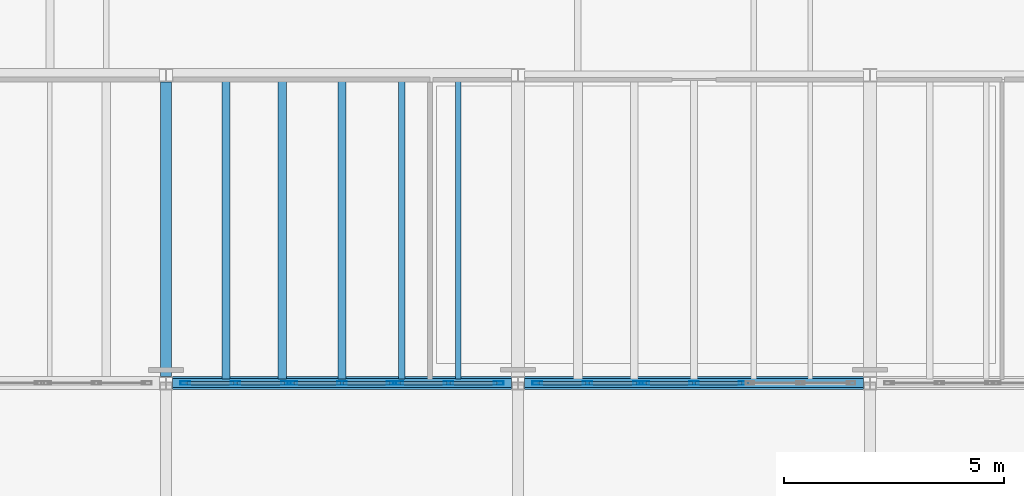
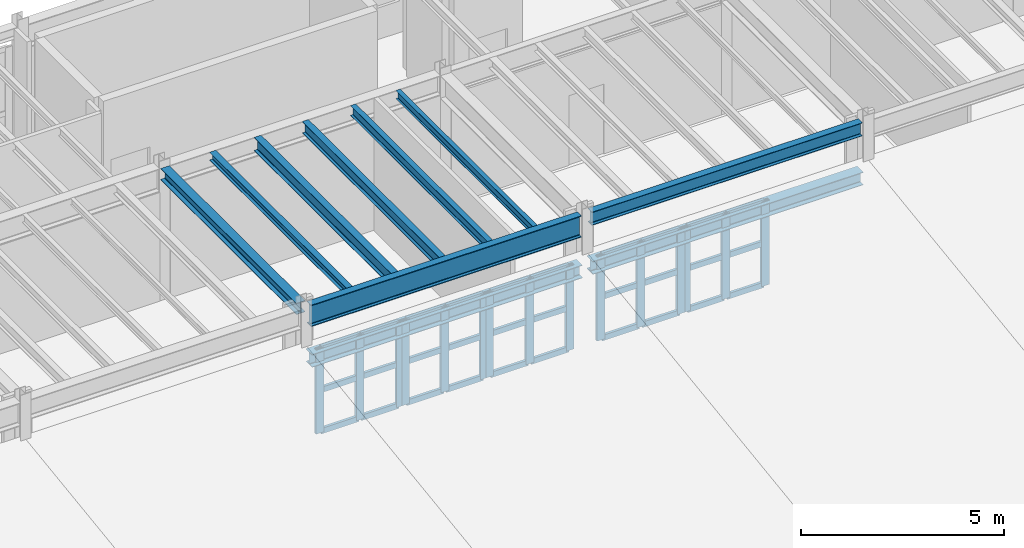
# One storey, part 11 of 77: 45 members, 10 beams, 5 elements without a shape of their own.
"""IFC4 building model written with IfcOpenShell, lengths in metres."""

from ifc_helpers import new_model, si_unit, direction, frame, origin, origin_2d, place, context, subcontext, project, spatial, hollow_rectangle, i_section, extrude, material, material_profile, profile_set, type_object, element, aggregate, save


model = new_model("IFC4")

# Units and contexts
model_context = context("Model", 3, precision=1e-05, world=origin(), true_north=direction((0.0, 1.0)))
body_context = subcontext(model_context, "Body", "Model", "MODEL_VIEW")
ifc_project = project(units=[si_unit("LENGTHUNIT", "METRE"), si_unit("AREAUNIT", "SQUARE_METRE"), si_unit("VOLUMEUNIT", "CUBIC_METRE"), si_unit("PLANEANGLEUNIT", "RADIAN"), si_unit("MASSUNIT", "GRAM", prefix="KILO"), si_unit("THERMODYNAMICTEMPERATUREUNIT", "KELVIN"), si_unit("POWERUNIT", "WATT")], contexts=[model_context])

# Site, building, storey
site_placement = place(None, origin())
site = spatial("IfcSite", under=ifc_project, at=site_placement, CompositionType="ELEMENT")
building_placement = place(site_placement, origin())
building = spatial("IfcBuilding", under=site, at=building_placement, Name="Zhenchuan Central Fire Station", CompositionType="ELEMENT")
storey_placement = place(building_placement, frame((0.0, 0.0, 10.050048828125)))
storey = spatial("IfcBuildingStorey", under=building, at=storey_placement, Name="L03", CompositionType="ELEMENT", Elevation=10.050048828125)

# Beams
ifc_material_1 = material(Name="Steel Q355B", Category="steel")
ifc_material_profile_1 = material_profile(ifc_material_1, i_section(OverallWidth=0.25, OverallDepth=0.340087890625, WebThickness=0.009033203125, FlangeThickness=0.013916015625, FilletRadius=0.01806640625, at=origin_2d()), Name="HM 340x250")
ifc_profile_set_1 = profile_set([ifc_material_profile_1], Name="Steel Q355B")
beam_type_1 = type_object("IfcBeamType", Name="BM-HM340", PredefinedType="BEAM", material=ifc_profile_set_1)
beam_1_placement = place(storey_placement, frame((16.0, 42.64990234375, 3.81005859375), z_axis=(0.0, 1.0, 0.0), x_axis=(-1.0, 0.0, 0.0)))
element("IfcBeam", 1, at=beam_1_placement, inside=storey, type_object=beam_type_1, Name="L04 Girder NS 0394", PredefinedType="BEAM", context=body_context, shape_type="SweptSolid", body=[
    extrude(i_section(OverallWidth=0.25, OverallDepth=0.340087890625, WebThickness=0.009033203125, FlangeThickness=0.013916015625, FilletRadius=0.01806640625, at=origin_2d()), origin(), (0.0, 0.0, 1.0), 6.7001953125),
])
ifc_material_profile_2 = material_profile(ifc_material_1, i_section(OverallWidth=0.300048828125, OverallDepth=0.389892578125, WebThickness=0.010009765625, FlangeThickness=0.01611328125, FilletRadius=0.02001953125, at=origin_2d()), Name="HM 390x300")
ifc_profile_set_2 = profile_set([ifc_material_profile_2], Name="Steel Q355B")
beam_type_2 = type_object("IfcBeamType", Name="BM-HM390-INT", PredefinedType="BEAM", material=ifc_profile_set_2)
for number, where, z_axis, x_axis, name in (
    (2, (16.14990234375, 42.5, 2.329833984375), (1.0, 0.0, 0.0), (0.0, 1.0, 0.0), "Workshop Sawtooth Ridge Girder 3"),
    (3, (24.14990234375, 42.5, 2.329833984375), (1.0, 0.0, 0.0), (0.0, 1.0, 0.0), "Workshop Sawtooth Ridge Girder 4"),
):
    element("IfcBeam", number, at=place(storey_placement, frame(where, z_axis=z_axis, x_axis=x_axis)), inside=storey, type_object=beam_type_2, Name=name, PredefinedType="BEAM", context=body_context, shape_type="SweptSolid", body=[
        extrude(i_section(OverallWidth=0.300048828125, OverallDepth=0.389892578125, WebThickness=0.010009765625, FlangeThickness=0.01611328125, FilletRadius=0.02001953125, at=origin_2d()), origin(), (0.0, 0.0, 1.0), 7.7001953125),
    ])
ifc_material_profile_3 = material_profile(ifc_material_1, i_section(OverallWidth=0.199951171875, OverallDepth=0.64990234375, WebThickness=0.011962890625, FlangeThickness=0.02001953125, FilletRadius=0.02197265625, at=origin_2d()), Name="HN 650x200")
ifc_profile_set_3 = profile_set([ifc_material_profile_3], Name="Steel Q355B")
beam_type_3 = type_object("IfcBeamType", Name="BM-HN650", PredefinedType="BEAM", material=ifc_profile_set_3)
beam_2_placement = place(storey_placement, frame((16.14990234375, 42.5, 3.655029296875), z_axis=(1.0, 0.0, 0.0), x_axis=(0.0, 1.0, 0.0)))
element("IfcBeam", 4, at=beam_2_placement, inside=storey, type_object=beam_type_3, Name="L04 Girder EW 0364", PredefinedType="BEAM", context=body_context, shape_type="SweptSolid", body=[
    extrude(i_section(OverallWidth=0.199951171875, OverallDepth=0.64990234375, WebThickness=0.011962890625, FlangeThickness=0.02001953125, FilletRadius=0.02197265625, at=origin_2d()), origin(), (0.0, 0.0, 1.0), 7.7001953125),
])

# Curtain wall, members
ifc_material_2 = material(Name="Anodised aluminium and low-E glazing", Category="aluminium")
curtain_wall_type_1 = type_object("IfcCurtainWallType", Name="CW-MOD-20", PredefinedType="USERDEFINED", material=ifc_material_2)
curtain_wall_1_placement = place(storey_placement, origin())
curtain_wall_1 = element("IfcCurtainWall", 5, at=curtain_wall_1_placement, inside=storey, type_object=curtain_wall_type_1, Name="L03 Unitised Curtain Wall 043", ObjectType="UNITISED GLAZING", PredefinedType="USERDEFINED")
ifc_material_3 = material(Name="Anodised aluminium EN AW-6063", Category="aluminium")
ifc_material_profile_4 = material_profile(ifc_material_3, hollow_rectangle(XDim=0.080078125, YDim=0.219970703125, WallThickness=0.005615234375, at=origin_2d()), Name="ALU-M 220x80")
ifc_profile_set_4 = profile_set([ifc_material_profile_4], Name="Anodised aluminium EN AW-6063")
member_type_1 = type_object("IfcMemberType", Name="CW-MUL200", PredefinedType="MULLION", material=ifc_profile_set_4)
member_1_placement = place(storey_placement, frame((16.4375, 42.5, -0.004150390625), z_axis=(0.0, 0.0, 1.0), x_axis=(0.0, 1.0, 0.0)))
member_1 = element("IfcMember", 6, at=member_1_placement, type_object=member_type_1, Name="CW-20 mullion 1", PredefinedType="MULLION", context=body_context, shape_type="SweptSolid", body=[
    extrude(hollow_rectangle(XDim=0.080078125, YDim=0.219970703125, WallThickness=0.005615234375, at=origin_2d()), origin(), (0.0, 0.0, 1.0), 2.55419921875),
])
member_2_placement = place(storey_placement, frame((17.5810546875, 42.5, -0.004150390625), z_axis=(0.0, 0.0, 1.0), x_axis=(0.0, 1.0, 0.0)))
member_2 = element("IfcMember", 7, at=member_2_placement, type_object=member_type_1, Name="CW-20 mullion 2", PredefinedType="MULLION", context=body_context, shape_type="SweptSolid", body=[
    extrude(hollow_rectangle(XDim=0.080078125, YDim=0.219970703125, WallThickness=0.005615234375, at=origin_2d()), origin(), (0.0, 0.0, 1.0), 2.55419921875),
])
member_3_placement = place(storey_placement, frame((18.724609375, 42.5, -0.004150390625), z_axis=(0.0, 0.0, 1.0), x_axis=(0.0, 1.0, 0.0)))
member_3 = element("IfcMember", 8, at=member_3_placement, type_object=member_type_1, Name="CW-20 mullion 3", PredefinedType="MULLION", context=body_context, shape_type="SweptSolid", body=[
    extrude(hollow_rectangle(XDim=0.080078125, YDim=0.219970703125, WallThickness=0.005615234375, at=origin_2d()), origin(), (0.0, 0.0, 1.0), 2.55419921875),
])

curtain_wall_type_2 = type_object("IfcCurtainWallType", Name="CW-MOD-21", PredefinedType="USERDEFINED", material=ifc_material_2)
curtain_wall_2_placement = place(storey_placement, origin())
curtain_wall_2 = element("IfcCurtainWall", 9, at=curtain_wall_2_placement, inside=storey, type_object=curtain_wall_type_2, Name="L03 Unitised Curtain Wall 044", ObjectType="UNITISED GLAZING", PredefinedType="USERDEFINED")
member_4_placement = place(storey_placement, frame((18.87548828125, 42.5, -0.004150390625), z_axis=(0.0, 0.0, 1.0), x_axis=(0.0, 1.0, 0.0)))
member_4 = element("IfcMember", 10, at=member_4_placement, type_object=member_type_1, Name="CW-21 mullion 1", PredefinedType="MULLION", context=body_context, shape_type="SweptSolid", body=[
    extrude(hollow_rectangle(XDim=0.080078125, YDim=0.219970703125, WallThickness=0.005615234375, at=origin_2d()), origin(), (0.0, 0.0, 1.0), 2.55419921875),
])
member_5_placement = place(storey_placement, frame((20.0, 42.5, -0.004150390625), z_axis=(0.0, 0.0, 1.0), x_axis=(0.0, 1.0, 0.0)))
member_5 = element("IfcMember", 11, at=member_5_placement, type_object=member_type_1, Name="CW-21 mullion 2", PredefinedType="MULLION", context=body_context, shape_type="SweptSolid", body=[
    extrude(hollow_rectangle(XDim=0.080078125, YDim=0.219970703125, WallThickness=0.005615234375, at=origin_2d()), origin(), (0.0, 0.0, 1.0), 2.55419921875),
])
member_6_placement = place(storey_placement, frame((21.12451171875, 42.5, -0.004150390625), z_axis=(0.0, 0.0, 1.0), x_axis=(0.0, 1.0, 0.0)))
member_6 = element("IfcMember", 12, at=member_6_placement, type_object=member_type_1, Name="CW-21 mullion 3", PredefinedType="MULLION", context=body_context, shape_type="SweptSolid", body=[
    extrude(hollow_rectangle(XDim=0.080078125, YDim=0.219970703125, WallThickness=0.005615234375, at=origin_2d()), origin(), (0.0, 0.0, 1.0), 2.55419921875),
])

curtain_wall_type_3 = type_object("IfcCurtainWallType", Name="CW-MOD-22", PredefinedType="USERDEFINED", material=ifc_material_2)
curtain_wall_3_placement = place(storey_placement, origin())
curtain_wall_3 = element("IfcCurtainWall", 13, at=curtain_wall_3_placement, inside=storey, type_object=curtain_wall_type_3, Name="L03 Unitised Curtain Wall 045", ObjectType="UNITISED GLAZING", PredefinedType="USERDEFINED")
member_7_placement = place(storey_placement, frame((21.275390625, 42.5, -0.004150390625), z_axis=(0.0, 0.0, 1.0), x_axis=(0.0, 1.0, 0.0)))
member_7 = element("IfcMember", 14, at=member_7_placement, type_object=member_type_1, Name="CW-22 mullion 1", PredefinedType="MULLION", context=body_context, shape_type="SweptSolid", body=[
    extrude(hollow_rectangle(XDim=0.080078125, YDim=0.219970703125, WallThickness=0.005615234375, at=origin_2d()), origin(), (0.0, 0.0, 1.0), 2.55419921875),
])
member_8_placement = place(storey_placement, frame((22.4189453125, 42.5, -0.004150390625), z_axis=(0.0, 0.0, 1.0), x_axis=(0.0, 1.0, 0.0)))
member_8 = element("IfcMember", 15, at=member_8_placement, type_object=member_type_1, Name="CW-22 mullion 2", PredefinedType="MULLION", context=body_context, shape_type="SweptSolid", body=[
    extrude(hollow_rectangle(XDim=0.080078125, YDim=0.219970703125, WallThickness=0.005615234375, at=origin_2d()), origin(), (0.0, 0.0, 1.0), 2.55419921875),
])
member_9_placement = place(storey_placement, frame((23.5625, 42.5, -0.004150390625), z_axis=(0.0, 0.0, 1.0), x_axis=(0.0, 1.0, 0.0)))
member_9 = element("IfcMember", 16, at=member_9_placement, type_object=member_type_1, Name="CW-22 mullion 3", PredefinedType="MULLION", context=body_context, shape_type="SweptSolid", body=[
    extrude(hollow_rectangle(XDim=0.080078125, YDim=0.219970703125, WallThickness=0.005615234375, at=origin_2d()), origin(), (0.0, 0.0, 1.0), 2.55419921875),
])

curtain_wall_4_placement = place(storey_placement, origin())
curtain_wall_4 = element("IfcCurtainWall", 17, at=curtain_wall_4_placement, inside=storey, type_object=curtain_wall_type_2, Name="L03 Unitised Curtain Wall 046", ObjectType="UNITISED GLAZING", PredefinedType="USERDEFINED")
member_10_placement = place(storey_placement, frame((24.4375, 42.5, -0.004150390625), z_axis=(0.0, 0.0, 1.0), x_axis=(0.0, 1.0, 0.0)))
member_10 = element("IfcMember", 18, at=member_10_placement, type_object=member_type_1, Name="CW-21 mullion 1", PredefinedType="MULLION", context=body_context, shape_type="SweptSolid", body=[
    extrude(hollow_rectangle(XDim=0.080078125, YDim=0.219970703125, WallThickness=0.005615234375, at=origin_2d()), origin(), (0.0, 0.0, 1.0), 2.55419921875),
])
member_11_placement = place(storey_placement, frame((25.5810546875, 42.5, -0.004150390625), z_axis=(0.0, 0.0, 1.0), x_axis=(0.0, 1.0, 0.0)))
member_11 = element("IfcMember", 19, at=member_11_placement, type_object=member_type_1, Name="CW-21 mullion 2", PredefinedType="MULLION", context=body_context, shape_type="SweptSolid", body=[
    extrude(hollow_rectangle(XDim=0.080078125, YDim=0.219970703125, WallThickness=0.005615234375, at=origin_2d()), origin(), (0.0, 0.0, 1.0), 2.55419921875),
])
member_12_placement = place(storey_placement, frame((26.724609375, 42.5, -0.004150390625), z_axis=(0.0, 0.0, 1.0), x_axis=(0.0, 1.0, 0.0)))
member_12 = element("IfcMember", 20, at=member_12_placement, type_object=member_type_1, Name="CW-21 mullion 3", PredefinedType="MULLION", context=body_context, shape_type="SweptSolid", body=[
    extrude(hollow_rectangle(XDim=0.080078125, YDim=0.219970703125, WallThickness=0.005615234375, at=origin_2d()), origin(), (0.0, 0.0, 1.0), 2.55419921875),
])

curtain_wall_5_placement = place(storey_placement, origin())
curtain_wall_5 = element("IfcCurtainWall", 21, at=curtain_wall_5_placement, inside=storey, type_object=curtain_wall_type_3, Name="L03 Unitised Curtain Wall 047", ObjectType="UNITISED GLAZING", PredefinedType="USERDEFINED")
member_13_placement = place(storey_placement, frame((26.87548828125, 42.5, -0.004150390625), z_axis=(0.0, 0.0, 1.0), x_axis=(0.0, 1.0, 0.0)))
member_13 = element("IfcMember", 22, at=member_13_placement, type_object=member_type_1, Name="CW-22 mullion 1", PredefinedType="MULLION", context=body_context, shape_type="SweptSolid", body=[
    extrude(hollow_rectangle(XDim=0.080078125, YDim=0.219970703125, WallThickness=0.005615234375, at=origin_2d()), origin(), (0.0, 0.0, 1.0), 2.55419921875),
])
member_14_placement = place(storey_placement, frame((28.0, 42.5, -0.004150390625), z_axis=(0.0, 0.0, 1.0), x_axis=(0.0, 1.0, 0.0)))
member_14 = element("IfcMember", 23, at=member_14_placement, type_object=member_type_1, Name="CW-22 mullion 2", PredefinedType="MULLION", context=body_context, shape_type="SweptSolid", body=[
    extrude(hollow_rectangle(XDim=0.080078125, YDim=0.219970703125, WallThickness=0.005615234375, at=origin_2d()), origin(), (0.0, 0.0, 1.0), 2.55419921875),
])
member_15_placement = place(storey_placement, frame((29.12451171875, 42.5, -0.004150390625), z_axis=(0.0, 0.0, 1.0), x_axis=(0.0, 1.0, 0.0)))
member_15 = element("IfcMember", 24, at=member_15_placement, type_object=member_type_1, Name="CW-22 mullion 3", PredefinedType="MULLION", context=body_context, shape_type="SweptSolid", body=[
    extrude(hollow_rectangle(XDim=0.080078125, YDim=0.219970703125, WallThickness=0.005615234375, at=origin_2d()), origin(), (0.0, 0.0, 1.0), 2.55419921875),
])

# Member
ifc_material_profile_5 = material_profile(ifc_material_3, hollow_rectangle(XDim=0.080078125, YDim=0.1650390625, WallThickness=0.0048828125, at=origin_2d()), Name="ALU-T 165x80")
ifc_profile_set_5 = profile_set([ifc_material_profile_5], Name="Anodised aluminium EN AW-6063")
member_type_2 = type_object("IfcMemberType", Name="CW-TRN150", PredefinedType="NOTDEFINED", material=ifc_profile_set_5)
member_16_placement = place(storey_placement, frame((16.47509765625, 42.5, 0.033447265625), z_axis=(1.0, 0.0, 0.0), x_axis=(0.0, 1.0, 0.0)))
member_16 = element("IfcMember", 25, at=member_16_placement, type_object=member_type_2, Name="CW-20 transom 1.1", ObjectType="TRANSOM", PredefinedType="USERDEFINED", context=body_context, shape_type="SweptSolid", body=[
    extrude(hollow_rectangle(XDim=0.080078125, YDim=0.1650390625, WallThickness=0.0048828125, at=origin_2d()), origin(), (0.0, 0.0, 1.0), 1.068359375),
])

member_17_placement = place(storey_placement, frame((16.47509765625, 42.5, 1.27490234375), z_axis=(1.0, 0.0, 0.0), x_axis=(0.0, 1.0, 0.0)))
member_17 = element("IfcMember", 26, at=member_17_placement, type_object=member_type_2, Name="CW-20 transom 1.2", ObjectType="TRANSOM", PredefinedType="USERDEFINED", context=body_context, shape_type="SweptSolid", body=[
    extrude(hollow_rectangle(XDim=0.080078125, YDim=0.1650390625, WallThickness=0.0048828125, at=origin_2d()), origin(), (0.0, 0.0, 1.0), 1.068359375),
])

member_18_placement = place(storey_placement, frame((16.47509765625, 42.5, 2.512451171875), z_axis=(1.0, 0.0, 0.0), x_axis=(0.0, 1.0, 0.0)))
member_18 = element("IfcMember", 27, at=member_18_placement, type_object=member_type_2, Name="CW-20 transom 1.3", ObjectType="TRANSOM", PredefinedType="USERDEFINED", context=body_context, shape_type="SweptSolid", body=[
    extrude(hollow_rectangle(XDim=0.080078125, YDim=0.1650390625, WallThickness=0.0048828125, at=origin_2d()), origin(), (0.0, 0.0, 1.0), 1.068359375),
])

member_19_placement = place(storey_placement, frame((17.618408203125, 42.5, 0.033447265625), z_axis=(1.0, 0.0, 0.0), x_axis=(0.0, 1.0, 0.0)))
member_19 = element("IfcMember", 28, at=member_19_placement, type_object=member_type_2, Name="CW-20 transom 2.1", ObjectType="TRANSOM", PredefinedType="USERDEFINED", context=body_context, shape_type="SweptSolid", body=[
    extrude(hollow_rectangle(XDim=0.080078125, YDim=0.1650390625, WallThickness=0.0048828125, at=origin_2d()), origin(), (0.0, 0.0, 1.0), 1.068603515625),
])

member_20_placement = place(storey_placement, frame((17.618408203125, 42.5, 1.27490234375), z_axis=(1.0, 0.0, 0.0), x_axis=(0.0, 1.0, 0.0)))
member_20 = element("IfcMember", 29, at=member_20_placement, type_object=member_type_2, Name="CW-20 transom 2.2", ObjectType="TRANSOM", PredefinedType="USERDEFINED", context=body_context, shape_type="SweptSolid", body=[
    extrude(hollow_rectangle(XDim=0.080078125, YDim=0.1650390625, WallThickness=0.0048828125, at=origin_2d()), origin(), (0.0, 0.0, 1.0), 1.068603515625),
])

member_21_placement = place(storey_placement, frame((17.618408203125, 42.5, 2.512451171875), z_axis=(1.0, 0.0, 0.0), x_axis=(0.0, 1.0, 0.0)))
member_21 = element("IfcMember", 30, at=member_21_placement, type_object=member_type_2, Name="CW-20 transom 2.3", ObjectType="TRANSOM", PredefinedType="USERDEFINED", context=body_context, shape_type="SweptSolid", body=[
    extrude(hollow_rectangle(XDim=0.080078125, YDim=0.1650390625, WallThickness=0.0048828125, at=origin_2d()), origin(), (0.0, 0.0, 1.0), 1.068603515625),
])

aggregate(curtain_wall_1, [member_1, member_2, member_3, member_16, member_17, member_18, member_19, member_20, member_21])

member_22_placement = place(storey_placement, frame((18.9130859375, 42.5, 0.033447265625), z_axis=(1.0, 0.0, 0.0), x_axis=(0.0, 1.0, 0.0)))
member_22 = element("IfcMember", 31, at=member_22_placement, type_object=member_type_2, Name="CW-21 transom 1.1", ObjectType="TRANSOM", PredefinedType="USERDEFINED", context=body_context, shape_type="SweptSolid", body=[
    extrude(hollow_rectangle(XDim=0.080078125, YDim=0.1650390625, WallThickness=0.0048828125, at=origin_2d()), origin(), (0.0, 0.0, 1.0), 1.04931640625),
])

member_23_placement = place(storey_placement, frame((18.9130859375, 42.5, 1.27490234375), z_axis=(1.0, 0.0, 0.0), x_axis=(0.0, 1.0, 0.0)))
member_23 = element("IfcMember", 32, at=member_23_placement, type_object=member_type_2, Name="CW-21 transom 1.2", ObjectType="TRANSOM", PredefinedType="USERDEFINED", context=body_context, shape_type="SweptSolid", body=[
    extrude(hollow_rectangle(XDim=0.080078125, YDim=0.1650390625, WallThickness=0.0048828125, at=origin_2d()), origin(), (0.0, 0.0, 1.0), 1.04931640625),
])

member_24_placement = place(storey_placement, frame((18.9130859375, 42.5, 2.512451171875), z_axis=(1.0, 0.0, 0.0), x_axis=(0.0, 1.0, 0.0)))
member_24 = element("IfcMember", 33, at=member_24_placement, type_object=member_type_2, Name="CW-21 transom 1.3", ObjectType="TRANSOM", PredefinedType="USERDEFINED", context=body_context, shape_type="SweptSolid", body=[
    extrude(hollow_rectangle(XDim=0.080078125, YDim=0.1650390625, WallThickness=0.0048828125, at=origin_2d()), origin(), (0.0, 0.0, 1.0), 1.04931640625),
])

member_25_placement = place(storey_placement, frame((20.03759765625, 42.5, 0.033447265625), z_axis=(1.0, 0.0, 0.0), x_axis=(0.0, 1.0, 0.0)))
member_25 = element("IfcMember", 34, at=member_25_placement, type_object=member_type_2, Name="CW-21 transom 2.1", ObjectType="TRANSOM", PredefinedType="USERDEFINED", context=body_context, shape_type="SweptSolid", body=[
    extrude(hollow_rectangle(XDim=0.080078125, YDim=0.1650390625, WallThickness=0.0048828125, at=origin_2d()), origin(), (0.0, 0.0, 1.0), 1.04931640625),
])

member_26_placement = place(storey_placement, frame((20.03759765625, 42.5, 1.27490234375), z_axis=(1.0, 0.0, 0.0), x_axis=(0.0, 1.0, 0.0)))
member_26 = element("IfcMember", 35, at=member_26_placement, type_object=member_type_2, Name="CW-21 transom 2.2", ObjectType="TRANSOM", PredefinedType="USERDEFINED", context=body_context, shape_type="SweptSolid", body=[
    extrude(hollow_rectangle(XDim=0.080078125, YDim=0.1650390625, WallThickness=0.0048828125, at=origin_2d()), origin(), (0.0, 0.0, 1.0), 1.04931640625),
])

member_27_placement = place(storey_placement, frame((20.03759765625, 42.5, 2.512451171875), z_axis=(1.0, 0.0, 0.0), x_axis=(0.0, 1.0, 0.0)))
member_27 = element("IfcMember", 36, at=member_27_placement, type_object=member_type_2, Name="CW-21 transom 2.3", ObjectType="TRANSOM", PredefinedType="USERDEFINED", context=body_context, shape_type="SweptSolid", body=[
    extrude(hollow_rectangle(XDim=0.080078125, YDim=0.1650390625, WallThickness=0.0048828125, at=origin_2d()), origin(), (0.0, 0.0, 1.0), 1.04931640625),
])

aggregate(curtain_wall_2, [member_4, member_5, member_6, member_22, member_23, member_24, member_25, member_26, member_27])

member_28_placement = place(storey_placement, frame((21.31298828125, 42.5, 0.033447265625), z_axis=(1.0, 0.0, 0.0), x_axis=(0.0, 1.0, 0.0)))
member_28 = element("IfcMember", 37, at=member_28_placement, type_object=member_type_2, Name="CW-22 transom 1.1", ObjectType="TRANSOM", PredefinedType="USERDEFINED", context=body_context, shape_type="SweptSolid", body=[
    extrude(hollow_rectangle(XDim=0.080078125, YDim=0.1650390625, WallThickness=0.0048828125, at=origin_2d()), origin(), (0.0, 0.0, 1.0), 1.068603515625),
])

member_29_placement = place(storey_placement, frame((21.31298828125, 42.5, 1.27490234375), z_axis=(1.0, 0.0, 0.0), x_axis=(0.0, 1.0, 0.0)))
member_29 = element("IfcMember", 38, at=member_29_placement, type_object=member_type_2, Name="CW-22 transom 1.2", ObjectType="TRANSOM", PredefinedType="USERDEFINED", context=body_context, shape_type="SweptSolid", body=[
    extrude(hollow_rectangle(XDim=0.080078125, YDim=0.1650390625, WallThickness=0.0048828125, at=origin_2d()), origin(), (0.0, 0.0, 1.0), 1.068603515625),
])

member_30_placement = place(storey_placement, frame((21.31298828125, 42.5, 2.512451171875), z_axis=(1.0, 0.0, 0.0), x_axis=(0.0, 1.0, 0.0)))
member_30 = element("IfcMember", 39, at=member_30_placement, type_object=member_type_2, Name="CW-22 transom 1.3", ObjectType="TRANSOM", PredefinedType="USERDEFINED", context=body_context, shape_type="SweptSolid", body=[
    extrude(hollow_rectangle(XDim=0.080078125, YDim=0.1650390625, WallThickness=0.0048828125, at=origin_2d()), origin(), (0.0, 0.0, 1.0), 1.068603515625),
])

member_31_placement = place(storey_placement, frame((22.45654296875, 42.5, 0.033447265625), z_axis=(1.0, 0.0, 0.0), x_axis=(0.0, 1.0, 0.0)))
member_31 = element("IfcMember", 40, at=member_31_placement, type_object=member_type_2, Name="CW-22 transom 2.1", ObjectType="TRANSOM", PredefinedType="USERDEFINED", context=body_context, shape_type="SweptSolid", body=[
    extrude(hollow_rectangle(XDim=0.080078125, YDim=0.1650390625, WallThickness=0.0048828125, at=origin_2d()), origin(), (0.0, 0.0, 1.0), 1.068359375),
])

member_32_placement = place(storey_placement, frame((22.45654296875, 42.5, 1.27490234375), z_axis=(1.0, 0.0, 0.0), x_axis=(0.0, 1.0, 0.0)))
member_32 = element("IfcMember", 41, at=member_32_placement, type_object=member_type_2, Name="CW-22 transom 2.2", ObjectType="TRANSOM", PredefinedType="USERDEFINED", context=body_context, shape_type="SweptSolid", body=[
    extrude(hollow_rectangle(XDim=0.080078125, YDim=0.1650390625, WallThickness=0.0048828125, at=origin_2d()), origin(), (0.0, 0.0, 1.0), 1.068359375),
])

member_33_placement = place(storey_placement, frame((22.45654296875, 42.5, 2.512451171875), z_axis=(1.0, 0.0, 0.0), x_axis=(0.0, 1.0, 0.0)))
member_33 = element("IfcMember", 42, at=member_33_placement, type_object=member_type_2, Name="CW-22 transom 2.3", ObjectType="TRANSOM", PredefinedType="USERDEFINED", context=body_context, shape_type="SweptSolid", body=[
    extrude(hollow_rectangle(XDim=0.080078125, YDim=0.1650390625, WallThickness=0.0048828125, at=origin_2d()), origin(), (0.0, 0.0, 1.0), 1.068359375),
])

aggregate(curtain_wall_3, [member_7, member_8, member_9, member_28, member_29, member_30, member_31, member_32, member_33])

member_34_placement = place(storey_placement, frame((24.47509765625, 42.5, 0.033447265625), z_axis=(1.0, 0.0, 0.0), x_axis=(0.0, 1.0, 0.0)))
member_34 = element("IfcMember", 43, at=member_34_placement, type_object=member_type_2, Name="CW-21 transom 1.1", ObjectType="TRANSOM", PredefinedType="USERDEFINED", context=body_context, shape_type="SweptSolid", body=[
    extrude(hollow_rectangle(XDim=0.080078125, YDim=0.1650390625, WallThickness=0.0048828125, at=origin_2d()), origin(), (0.0, 0.0, 1.0), 1.068359375),
])

member_35_placement = place(storey_placement, frame((24.47509765625, 42.5, 1.27490234375), z_axis=(1.0, 0.0, 0.0), x_axis=(0.0, 1.0, 0.0)))
member_35 = element("IfcMember", 44, at=member_35_placement, type_object=member_type_2, Name="CW-21 transom 1.2", ObjectType="TRANSOM", PredefinedType="USERDEFINED", context=body_context, shape_type="SweptSolid", body=[
    extrude(hollow_rectangle(XDim=0.080078125, YDim=0.1650390625, WallThickness=0.0048828125, at=origin_2d()), origin(), (0.0, 0.0, 1.0), 1.068359375),
])

member_36_placement = place(storey_placement, frame((24.47509765625, 42.5, 2.512451171875), z_axis=(1.0, 0.0, 0.0), x_axis=(0.0, 1.0, 0.0)))
member_36 = element("IfcMember", 45, at=member_36_placement, type_object=member_type_2, Name="CW-21 transom 1.3", ObjectType="TRANSOM", PredefinedType="USERDEFINED", context=body_context, shape_type="SweptSolid", body=[
    extrude(hollow_rectangle(XDim=0.080078125, YDim=0.1650390625, WallThickness=0.0048828125, at=origin_2d()), origin(), (0.0, 0.0, 1.0), 1.068359375),
])

member_37_placement = place(storey_placement, frame((25.618408203125, 42.5, 0.033447265625), z_axis=(1.0, 0.0, 0.0), x_axis=(0.0, 1.0, 0.0)))
member_37 = element("IfcMember", 46, at=member_37_placement, type_object=member_type_2, Name="CW-21 transom 2.1", ObjectType="TRANSOM", PredefinedType="USERDEFINED", context=body_context, shape_type="SweptSolid", body=[
    extrude(hollow_rectangle(XDim=0.080078125, YDim=0.1650390625, WallThickness=0.0048828125, at=origin_2d()), origin(), (0.0, 0.0, 1.0), 1.068603515625),
])

member_38_placement = place(storey_placement, frame((25.618408203125, 42.5, 1.27490234375), z_axis=(1.0, 0.0, 0.0), x_axis=(0.0, 1.0, 0.0)))
member_38 = element("IfcMember", 47, at=member_38_placement, type_object=member_type_2, Name="CW-21 transom 2.2", ObjectType="TRANSOM", PredefinedType="USERDEFINED", context=body_context, shape_type="SweptSolid", body=[
    extrude(hollow_rectangle(XDim=0.080078125, YDim=0.1650390625, WallThickness=0.0048828125, at=origin_2d()), origin(), (0.0, 0.0, 1.0), 1.068603515625),
])

member_39_placement = place(storey_placement, frame((25.618408203125, 42.5, 2.512451171875), z_axis=(1.0, 0.0, 0.0), x_axis=(0.0, 1.0, 0.0)))
member_39 = element("IfcMember", 48, at=member_39_placement, type_object=member_type_2, Name="CW-21 transom 2.3", ObjectType="TRANSOM", PredefinedType="USERDEFINED", context=body_context, shape_type="SweptSolid", body=[
    extrude(hollow_rectangle(XDim=0.080078125, YDim=0.1650390625, WallThickness=0.0048828125, at=origin_2d()), origin(), (0.0, 0.0, 1.0), 1.068603515625),
])

aggregate(curtain_wall_4, [member_10, member_11, member_12, member_34, member_35, member_36, member_37, member_38, member_39])

member_40_placement = place(storey_placement, frame((26.9130859375, 42.5, 0.033447265625), z_axis=(1.0, 0.0, 0.0), x_axis=(0.0, 1.0, 0.0)))
member_40 = element("IfcMember", 49, at=member_40_placement, type_object=member_type_2, Name="CW-22 transom 1.1", ObjectType="TRANSOM", PredefinedType="USERDEFINED", context=body_context, shape_type="SweptSolid", body=[
    extrude(hollow_rectangle(XDim=0.080078125, YDim=0.1650390625, WallThickness=0.0048828125, at=origin_2d()), origin(), (0.0, 0.0, 1.0), 1.04931640625),
])

member_41_placement = place(storey_placement, frame((26.9130859375, 42.5, 1.27490234375), z_axis=(1.0, 0.0, 0.0), x_axis=(0.0, 1.0, 0.0)))
member_41 = element("IfcMember", 50, at=member_41_placement, type_object=member_type_2, Name="CW-22 transom 1.2", ObjectType="TRANSOM", PredefinedType="USERDEFINED", context=body_context, shape_type="SweptSolid", body=[
    extrude(hollow_rectangle(XDim=0.080078125, YDim=0.1650390625, WallThickness=0.0048828125, at=origin_2d()), origin(), (0.0, 0.0, 1.0), 1.04931640625),
])

member_42_placement = place(storey_placement, frame((26.9130859375, 42.5, 2.512451171875), z_axis=(1.0, 0.0, 0.0), x_axis=(0.0, 1.0, 0.0)))
member_42 = element("IfcMember", 51, at=member_42_placement, type_object=member_type_2, Name="CW-22 transom 1.3", ObjectType="TRANSOM", PredefinedType="USERDEFINED", context=body_context, shape_type="SweptSolid", body=[
    extrude(hollow_rectangle(XDim=0.080078125, YDim=0.1650390625, WallThickness=0.0048828125, at=origin_2d()), origin(), (0.0, 0.0, 1.0), 1.04931640625),
])

member_43_placement = place(storey_placement, frame((28.03759765625, 42.5, 0.033447265625), z_axis=(1.0, 0.0, 0.0), x_axis=(0.0, 1.0, 0.0)))
member_43 = element("IfcMember", 52, at=member_43_placement, type_object=member_type_2, Name="CW-22 transom 2.1", ObjectType="TRANSOM", PredefinedType="USERDEFINED", context=body_context, shape_type="SweptSolid", body=[
    extrude(hollow_rectangle(XDim=0.080078125, YDim=0.1650390625, WallThickness=0.0048828125, at=origin_2d()), origin(), (0.0, 0.0, 1.0), 1.04931640625),
])

member_44_placement = place(storey_placement, frame((28.03759765625, 42.5, 1.27490234375), z_axis=(1.0, 0.0, 0.0), x_axis=(0.0, 1.0, 0.0)))
member_44 = element("IfcMember", 53, at=member_44_placement, type_object=member_type_2, Name="CW-22 transom 2.2", ObjectType="TRANSOM", PredefinedType="USERDEFINED", context=body_context, shape_type="SweptSolid", body=[
    extrude(hollow_rectangle(XDim=0.080078125, YDim=0.1650390625, WallThickness=0.0048828125, at=origin_2d()), origin(), (0.0, 0.0, 1.0), 1.04931640625),
])

member_45_placement = place(storey_placement, frame((28.03759765625, 42.5, 2.512451171875), z_axis=(1.0, 0.0, 0.0), x_axis=(0.0, 1.0, 0.0)))
member_45 = element("IfcMember", 54, at=member_45_placement, type_object=member_type_2, Name="CW-22 transom 2.3", ObjectType="TRANSOM", PredefinedType="USERDEFINED", context=body_context, shape_type="SweptSolid", body=[
    extrude(hollow_rectangle(XDim=0.080078125, YDim=0.1650390625, WallThickness=0.0048828125, at=origin_2d()), origin(), (0.0, 0.0, 1.0), 1.04931640625),
])

aggregate(curtain_wall_5, [member_13, member_14, member_15, member_40, member_41, member_42, member_43, member_44, member_45])

# Beams
ifc_material_profile_6 = material_profile(ifc_material_1, i_section(OverallWidth=0.175048828125, OverallDepth=0.243896484375, WebThickness=0.007080078125, FlangeThickness=0.010986328125, FilletRadius=0.012939453125, at=origin_2d()), Name="HM 244x175")
ifc_profile_set_6 = profile_set([ifc_material_profile_6], Name="Steel Q355B")
beam_type_4 = type_object("IfcBeamType", Name="JS-HM244", PredefinedType="JOIST", material=ifc_profile_set_6)
beam_3_placement = place(storey_placement, frame((17.360107421875, 42.596923828125, 3.85791015625), z_axis=(0.0, 1.0, 0.0), x_axis=(-1.0, 0.0, 0.0)))
element("IfcBeam", 55, at=beam_3_placement, inside=storey, type_object=beam_type_4, Name="L04 Secondary Joist 0644", PredefinedType="JOIST", context=body_context, shape_type="SweptSolid", body=[
    extrude(i_section(OverallWidth=0.175048828125, OverallDepth=0.243896484375, WebThickness=0.007080078125, FlangeThickness=0.010986328125, FilletRadius=0.012939453125, at=origin_2d()), origin(), (0.0, 0.0, 1.0), 6.756103515625),
])
ifc_material_profile_7 = material_profile(ifc_material_1, i_section(OverallWidth=0.125, OverallDepth=0.25, WebThickness=0.006103515625, FlangeThickness=0.009033203125, FilletRadius=0.011962890625, at=origin_2d()), Name="HN 250x125")
ifc_profile_set_7 = profile_set([ifc_material_profile_7], Name="Steel Q355B")
beam_type_5 = type_object("IfcBeamType", Name="JS-HN250", PredefinedType="JOIST", material=ifc_profile_set_7)
beam_4_placement = place(storey_placement, frame((22.639892578125, 42.596923828125, 3.85498046875), z_axis=(0.0, 1.0, 0.0), x_axis=(-1.0, 0.0, 0.0)))
element("IfcBeam", 56, at=beam_4_placement, inside=storey, type_object=beam_type_5, Name="L04 Secondary Joist 0648", PredefinedType="JOIST", context=body_context, shape_type="SweptSolid", body=[
    extrude(i_section(OverallWidth=0.125, OverallDepth=0.25, WebThickness=0.006103515625, FlangeThickness=0.009033203125, FilletRadius=0.011962890625, at=origin_2d()), origin(), (0.0, 0.0, 1.0), 6.756103515625),
])
ifc_material_profile_8 = material_profile(ifc_material_1, i_section(OverallWidth=0.14990234375, OverallDepth=0.300048828125, WebThickness=0.006591796875, FlangeThickness=0.009033203125, FilletRadius=0.012939453125, at=origin_2d()), Name="HN 300x150")
ifc_profile_set_8 = profile_set([ifc_material_profile_8], Name="Steel Q355B")
beam_type_6 = type_object("IfcBeamType", Name="JS-HN300", PredefinedType="JOIST", material=ifc_profile_set_8)
beam_5_placement = place(storey_placement, frame((21.360107421875, 42.596923828125, 3.829833984375), z_axis=(0.0, 1.0, 0.0), x_axis=(-1.0, 0.0, 0.0)))
element("IfcBeam", 57, at=beam_5_placement, inside=storey, type_object=beam_type_6, Name="L04 Secondary Joist 0647", PredefinedType="JOIST", context=body_context, shape_type="SweptSolid", body=[
    extrude(i_section(OverallWidth=0.14990234375, OverallDepth=0.300048828125, WebThickness=0.006591796875, FlangeThickness=0.009033203125, FilletRadius=0.012939453125, at=origin_2d()), origin(), (0.0, 0.0, 1.0), 6.756103515625),
])
ifc_material_profile_9 = material_profile(ifc_material_1, i_section(OverallWidth=0.175048828125, OverallDepth=0.35009765625, WebThickness=0.007080078125, FlangeThickness=0.010986328125, FilletRadius=0.013916015625, at=origin_2d()), Name="HN 350x175")
ifc_profile_set_9 = profile_set([ifc_material_profile_9], Name="Steel Q355B")
beam_type_7 = type_object("IfcBeamType", Name="JS-HN350", PredefinedType="JOIST", material=ifc_profile_set_9)
beam_6_placement = place(storey_placement, frame((20.0, 42.596923828125, 3.804931640625), z_axis=(0.0, 1.0, 0.0), x_axis=(-1.0, 0.0, 0.0)))
element("IfcBeam", 58, at=beam_6_placement, inside=storey, type_object=beam_type_7, Name="L04 Secondary Joist 0646", PredefinedType="JOIST", context=body_context, shape_type="SweptSolid", body=[
    extrude(i_section(OverallWidth=0.175048828125, OverallDepth=0.35009765625, WebThickness=0.007080078125, FlangeThickness=0.010986328125, FilletRadius=0.013916015625, at=origin_2d()), origin(), (0.0, 0.0, 1.0), 6.756103515625),
])
ifc_material_profile_10 = material_profile(ifc_material_1, i_section(OverallWidth=0.199951171875, OverallDepth=0.39990234375, WebThickness=0.008056640625, FlangeThickness=0.012939453125, FilletRadius=0.01611328125, at=origin_2d()), Name="HN 400x200")
ifc_profile_set_10 = profile_set([ifc_material_profile_10], Name="Steel Q355B")
beam_type_8 = type_object("IfcBeamType", Name="JS-HN400", PredefinedType="JOIST", material=ifc_profile_set_10)
beam_7_placement = place(storey_placement, frame((18.639892578125, 42.596923828125, 3.780029296875), z_axis=(0.0, 1.0, 0.0), x_axis=(-1.0, 0.0, 0.0)))
element("IfcBeam", 59, at=beam_7_placement, inside=storey, type_object=beam_type_8, Name="L04 Secondary Joist 0645", PredefinedType="JOIST", context=body_context, shape_type="SweptSolid", body=[
    extrude(i_section(OverallWidth=0.199951171875, OverallDepth=0.39990234375, WebThickness=0.008056640625, FlangeThickness=0.012939453125, FilletRadius=0.01611328125, at=origin_2d()), origin(), (0.0, 0.0, 1.0), 6.756103515625),
])
ifc_material_profile_11 = material_profile(ifc_material_1, i_section(OverallWidth=0.199951171875, OverallDepth=0.39990234375, WebThickness=0.008056640625, FlangeThickness=0.012939453125, FilletRadius=0.01611328125, at=origin_2d()), Name="HN 400x200")
ifc_profile_set_11 = profile_set([ifc_material_profile_11], Name="Steel Q355B")
beam_type_9 = type_object("IfcBeamType", Name="SP-HN400-INT", PredefinedType="SPANDREL", material=ifc_profile_set_11)
beam_8_placement = place(storey_placement, frame((24.14990234375, 42.5, 3.780029296875), z_axis=(1.0, 0.0, 0.0), x_axis=(0.0, 1.0, 0.0)))
element("IfcBeam", 60, at=beam_8_placement, inside=storey, type_object=beam_type_9, Name="L04 Girder EW 0365", PredefinedType="SPANDREL", context=body_context, shape_type="SweptSolid", body=[
    extrude(i_section(OverallWidth=0.199951171875, OverallDepth=0.39990234375, WebThickness=0.008056640625, FlangeThickness=0.012939453125, FilletRadius=0.01611328125, at=origin_2d()), origin(), (0.0, 0.0, 1.0), 7.7001953125),
])

save(model, "model.ifc")
